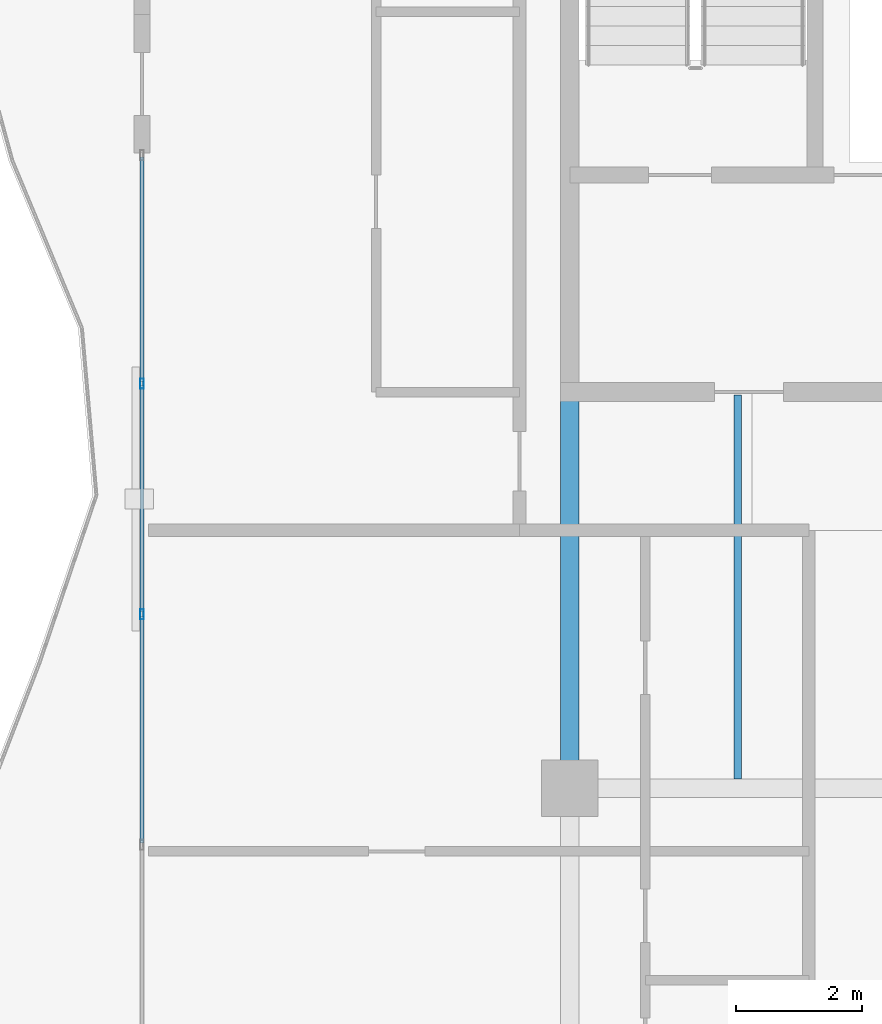
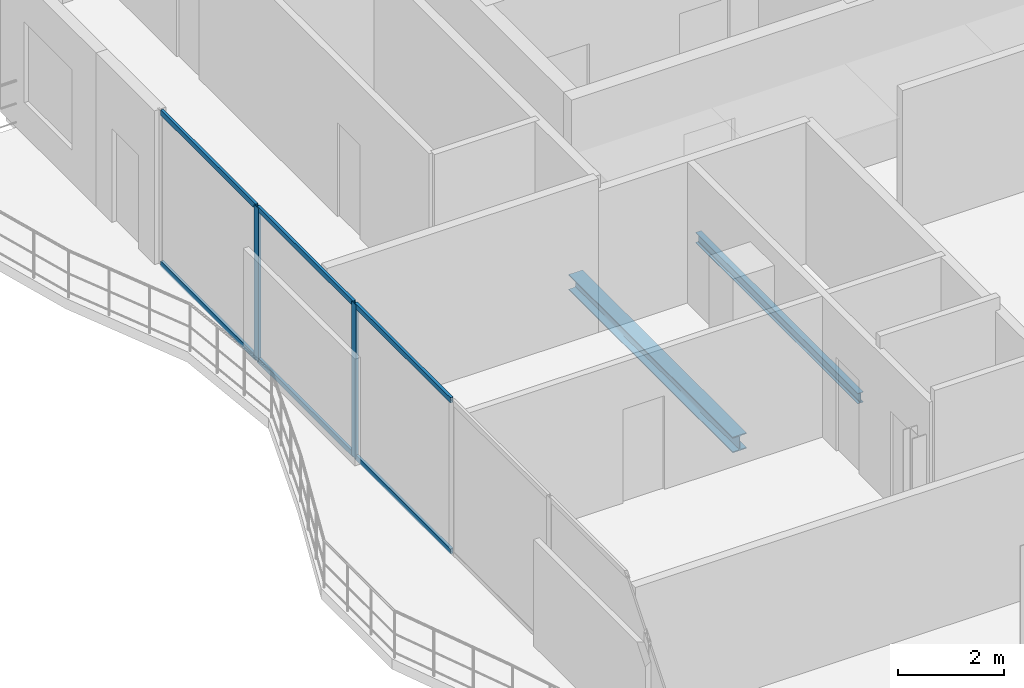
# One storey, part 7 of 17: 8 members, 2 beams, 1 element without a shape of its own.
"""IFC4 building model written with IfcOpenShell, lengths in metres."""

from ifc_helpers import new_model, si_unit, direction, frame, origin, origin_2d, place, context, subcontext, project, spatial, hollow_rectangle, i_section, extrude, material, layer, layer_set, material_profile, profile_set, type_object, element, aggregate, save


model = new_model("IFC4")

# Units and contexts
model_context = context("Model", 3, precision=1e-05, world=origin(), true_north=direction((0.0, 1.0)))
body_context = subcontext(model_context, "Body", "Model", "MODEL_VIEW")
ifc_project = project(units=[si_unit("LENGTHUNIT", "METRE"), si_unit("AREAUNIT", "SQUARE_METRE"), si_unit("VOLUMEUNIT", "CUBIC_METRE"), si_unit("PLANEANGLEUNIT", "RADIAN"), si_unit("MASSUNIT", "GRAM", prefix="KILO")], contexts=[model_context])

# Site, building, storey
site_placement = place(None, origin())
site = spatial("IfcSite", under=ifc_project, at=site_placement, CompositionType="ELEMENT")
building_placement = place(site_placement, origin())
building = spatial("IfcBuilding", under=site, at=building_placement, Name="Catumbela Crestline Tower", CompositionType="ELEMENT")
storey_placement = place(building_placement, frame((0.0, 0.0, 283.0)))
storey = spatial("IfcBuildingStorey", under=building, at=storey_placement, Name="L73", CompositionType="ELEMENT", Elevation=283.0)

# Beams
ifc_material_1 = material(Name="Structural steel S355J2", Category="steel")
ifc_material_profile_1 = material_profile(ifc_material_1, i_section(OverallWidth=0.3, OverallDepth=0.36, WebThickness=0.0125, FlangeThickness=0.0225, FilletRadius=0.027, at=origin_2d()), Name="HEB 360")
ifc_profile_set_1 = profile_set([ifc_material_profile_1], Name="Structural steel S355J2")
beam_type_1 = type_object("IfcBeamType", Name="BG-HEB360", PredefinedType="BEAM", material=ifc_profile_set_1)
beam_1_placement = place(storey_placement, frame((16.0, 24.58, -0.44), z_axis=(0.0, 1.0, 0.0), x_axis=(-1.0, 0.0, 0.0)))
element("IfcBeam", 1, at=beam_1_placement, inside=storey, type_object=beam_type_1, Name="L73 Beam BM-L73-SNS06", PredefinedType="BEAM", context=body_context, shape_type="SweptSolid", body=[
    extrude(i_section(OverallWidth=0.3, OverallDepth=0.36, WebThickness=0.0125, FlangeThickness=0.0225, FilletRadius=0.027, at=origin_2d()), origin(), (0.0, 0.0, 1.0), 6.17),
])
ifc_material_profile_2 = material_profile(ifc_material_1, i_section(OverallWidth=0.12, OverallDepth=0.24, WebThickness=0.0062, FlangeThickness=0.0098, FilletRadius=0.015, at=origin_2d()), Name="IPE 240")
ifc_profile_set_2 = profile_set([ifc_material_profile_2], Name="Structural steel S355J2")
beam_type_2 = type_object("IfcBeamType", Name="BJ-IPE240", PredefinedType="JOIST", material=ifc_profile_set_2)
beam_2_placement = place(storey_placement, frame((18.667, 24.647, -0.38), z_axis=(0.0, 1.0, 0.0), x_axis=(-1.0, 0.0, 0.0)))
element("IfcBeam", 2, at=beam_2_placement, inside=storey, type_object=beam_type_2, Name="L73 Joist JS-L73-SP12", PredefinedType="JOIST", context=body_context, shape_type="SweptSolid", body=[
    extrude(i_section(OverallWidth=0.12, OverallDepth=0.24, WebThickness=0.0062, FlangeThickness=0.0098, FilletRadius=0.015, at=origin_2d()), origin(), (0.0, 0.0, 1.0), 6.103),
])

# Curtain wall, members
ifc_material_2 = material(Name="Aluminium alloy AW-6060-T66", Category="aluminium")
ifc_layer = layer(ifc_material_2, 0.18, Name="Aluminium alloy AW-6060-T66")
ifc_layer_set = layer_set([ifc_layer], Name="Aluminium alloy AW-6060-T66")
curtain_wall_type = type_object("IfcCurtainWallType", Name="CWU-Z4", PredefinedType="USERDEFINED", material=ifc_layer_set)
curtain_wall_placement = place(storey_placement, origin())
curtain_wall = element("IfcCurtainWall", 3, at=curtain_wall_placement, inside=storey, type_object=curtain_wall_type, Name="L73 Unitised Curtain Wall CW-L73-E9S2", ObjectType="UNITISED", PredefinedType="USERDEFINED")
ifc_material_profile_3 = material_profile(ifc_material_2, hollow_rectangle(XDim=0.06, YDim=0.16, WallThickness=0.004, at=origin_2d()), Name="ALU 160x60x4")
ifc_profile_set_3 = profile_set([ifc_material_profile_3], Name="Aluminium alloy AW-6060-T66")
member_type_1 = type_object("IfcMemberType", Name="MUL-160X60", PredefinedType="MULLION", material=ifc_profile_set_3)
member_1_placement = place(storey_placement, frame((9.2, 30.9333, 0.0), z_axis=(0.0, 0.0, 1.0), x_axis=(1.0, 0.0, 0.0)))
member_1 = element("IfcMember", 4, at=member_1_placement, type_object=member_type_1, Name="CWU-Z4 mullion 2", PredefinedType="MULLION", context=body_context, shape_type="SweptSolid", body=[
    extrude(hollow_rectangle(XDim=0.06, YDim=0.16, WallThickness=0.004, at=origin_2d()), origin(), (0.0, 0.0, 1.0), 3.53),
])
member_2_placement = place(storey_placement, frame((9.2, 27.2667, 0.0), z_axis=(0.0, 0.0, 1.0), x_axis=(1.0, 0.0, 0.0)))
member_2 = element("IfcMember", 5, at=member_2_placement, type_object=member_type_1, Name="CWU-Z4 mullion 3", PredefinedType="MULLION", context=body_context, shape_type="SweptSolid", body=[
    extrude(hollow_rectangle(XDim=0.06, YDim=0.16, WallThickness=0.004, at=origin_2d()), origin(), (0.0, 0.0, 1.0), 3.53),
])
ifc_material_profile_4 = material_profile(ifc_material_2, hollow_rectangle(XDim=0.06, YDim=0.12, WallThickness=0.0035, at=origin_2d()), Name="ALU 120x60x3.5")
ifc_profile_set_4 = profile_set([ifc_material_profile_4], Name="Aluminium alloy AW-6060-T66")
member_type_2 = type_object("IfcMemberType", Name="TRN-120X60", PredefinedType="USERDEFINED", material=ifc_profile_set_4)
member_3_placement = place(storey_placement, frame((9.2, 34.535, 0.03), z_axis=(0.0, -1.0, 0.0), x_axis=(1.0, 0.0, 0.0)))
member_3 = element("IfcMember", 6, at=member_3_placement, type_object=member_type_2, Name="CWU-Z4 transom 1.1", ObjectType="TRANSOM", PredefinedType="USERDEFINED", context=body_context, shape_type="SweptSolid", body=[
    extrude(hollow_rectangle(XDim=0.06, YDim=0.12, WallThickness=0.0035, at=origin_2d()), origin(), (0.0, 0.0, 1.0), 3.5692),
])
member_4_placement = place(storey_placement, frame((9.2, 34.535, 3.5), z_axis=(0.0, -1.0, 0.0), x_axis=(1.0, 0.0, 0.0)))
member_4 = element("IfcMember", 7, at=member_4_placement, type_object=member_type_2, Name="CWU-Z4 transom 1.2", ObjectType="TRANSOM", PredefinedType="USERDEFINED", context=body_context, shape_type="SweptSolid", body=[
    extrude(hollow_rectangle(XDim=0.06, YDim=0.12, WallThickness=0.0035, at=origin_2d()), origin(), (0.0, 0.0, 1.0), 3.5692),
])
member_5_placement = place(storey_placement, frame((9.2, 30.9008, 0.03), z_axis=(0.0, -1.0, 0.0), x_axis=(1.0, 0.0, 0.0)))
member_5 = element("IfcMember", 8, at=member_5_placement, type_object=member_type_2, Name="CWU-Z4 transom 2.1", ObjectType="TRANSOM", PredefinedType="USERDEFINED", context=body_context, shape_type="SweptSolid", body=[
    extrude(hollow_rectangle(XDim=0.06, YDim=0.12, WallThickness=0.0035, at=origin_2d()), origin(), (0.0, 0.0, 1.0), 3.6016),
])
member_6_placement = place(storey_placement, frame((9.2, 30.9008, 3.5), z_axis=(0.0, -1.0, 0.0), x_axis=(1.0, 0.0, 0.0)))
member_6 = element("IfcMember", 9, at=member_6_placement, type_object=member_type_2, Name="CWU-Z4 transom 2.2", ObjectType="TRANSOM", PredefinedType="USERDEFINED", context=body_context, shape_type="SweptSolid", body=[
    extrude(hollow_rectangle(XDim=0.06, YDim=0.12, WallThickness=0.0035, at=origin_2d()), origin(), (0.0, 0.0, 1.0), 3.6016),
])
member_7_placement = place(storey_placement, frame((9.2, 27.2342, 0.03), z_axis=(0.0, -1.0, 0.0), x_axis=(1.0, 0.0, 0.0)))
member_7 = element("IfcMember", 10, at=member_7_placement, type_object=member_type_2, Name="CWU-Z4 transom 3.1", ObjectType="TRANSOM", PredefinedType="USERDEFINED", context=body_context, shape_type="SweptSolid", body=[
    extrude(hollow_rectangle(XDim=0.06, YDim=0.12, WallThickness=0.0035, at=origin_2d()), origin(), (0.0, 0.0, 1.0), 3.6017),
])
member_8_placement = place(storey_placement, frame((9.2, 27.2342, 3.5), z_axis=(0.0, -1.0, 0.0), x_axis=(1.0, 0.0, 0.0)))
member_8 = element("IfcMember", 11, at=member_8_placement, type_object=member_type_2, Name="CWU-Z4 transom 3.2", ObjectType="TRANSOM", PredefinedType="USERDEFINED", context=body_context, shape_type="SweptSolid", body=[
    extrude(hollow_rectangle(XDim=0.06, YDim=0.12, WallThickness=0.0035, at=origin_2d()), origin(), (0.0, 0.0, 1.0), 3.6017),
])
aggregate(curtain_wall, [member_1, member_2, member_3, member_4, member_5, member_6, member_7, member_8])

save(model, "model.ifc")
